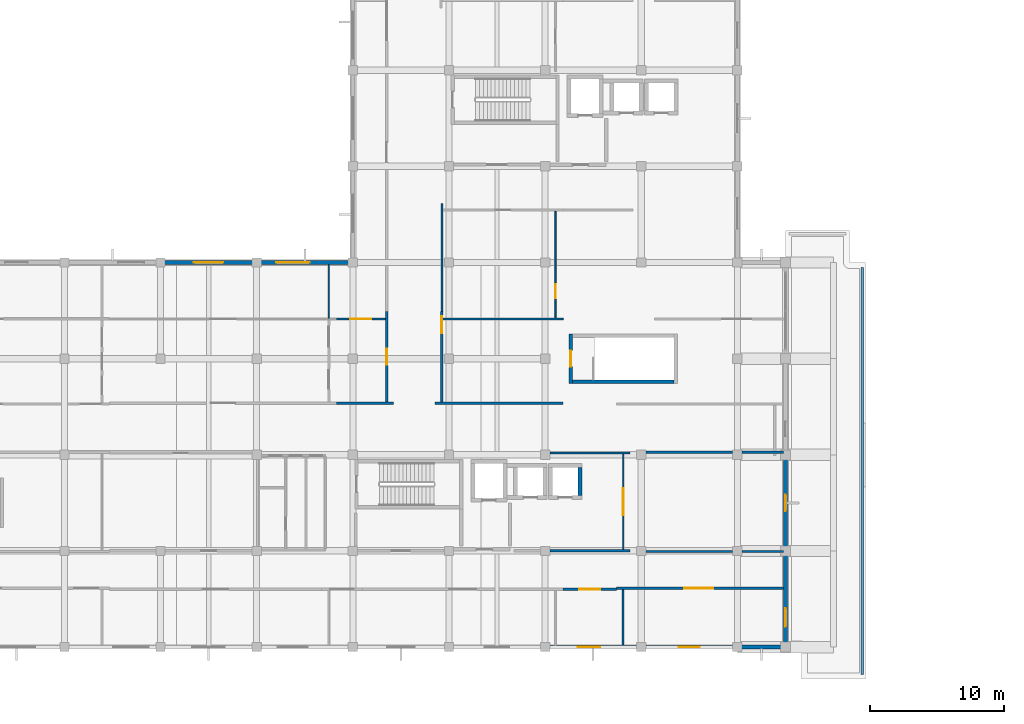
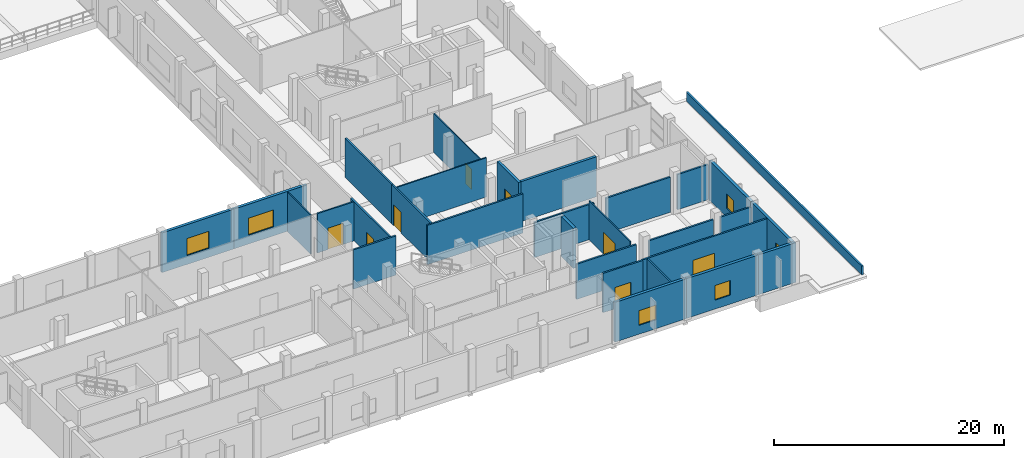
# One storey, part 13 of 24: 30 walls, 8 doors, 6 windows, 14 openings.
"""IFC4 building model written with IfcOpenShell, lengths in metres."""

import ifcopenshell
import ifcopenshell.guid

model = None  # the IFC model being written
_history = None  # IfcOwnerHistory: only IFC2X3 demands one
_inside = {}  # id of a spatial element -> (the spatial element, [elements in it])
_under = {}  # id of a project, library or spatial element -> (it, [spatial elements below it])
_declared = {}  # id of a project -> (the project, [libraries it declares])
_typed = {}  # id of a type object -> (the type object, [elements of that type])
_made_of = {}  # id of a material, layer set ... -> (it, [elements and type objects made of it])


def new_model(schema):
    """Start an empty IFC model of exactly this schema.

    Asked for "IFC4X3", IfcOpenShell would pick the latest addendum, in which some entities
    have other attributes; the version numbers below select the first issue.
    IFC2X3 requires an IfcOwnerHistory on every rooted entity: one is made here for all.
    """
    global model, _history
    if schema == "IFC4X3":
        model = ifcopenshell.file(schema_version=(4, 3, 0, 0))
    else:
        model = ifcopenshell.file(schema=schema)
    _inside.clear()
    _under.clear()
    _declared.clear()
    _typed.clear()
    _made_of.clear()
    _history = None
    if model.schema == "IFC2X3":
        org = make("IfcOrganization", Name="unknown")
        user = make(
            "IfcPersonAndOrganization",
            ThePerson=make("IfcPerson", FamilyName="unknown"),
            TheOrganization=org,
        )
        app = make(
            "IfcApplication",
            ApplicationDeveloper=org,
            Version="unknown",
            ApplicationFullName="unknown",
            ApplicationIdentifier="unknown",
        )
        _history = make(
            "IfcOwnerHistory",
            OwningUser=user,
            OwningApplication=app,
            ChangeAction="ADDED",
            CreationDate=0,
        )
    return model


def make(cls, **values):
    """One entity of the class cls with the attributes given. An attribute that is None is left unset."""
    return model.create_entity(
        cls, **{name: value for name, value in values.items() if value is not None}
    )


def rooted(cls, **values):
    """An entity with a GlobalId (a new one), such as an element, a storey or a relation."""
    return make(cls, GlobalId=ifcopenshell.guid.new(), OwnerHistory=_history, **values)


def si_unit(unit_type, name, prefix=None):
    """IfcSIUnit, for example si_unit("LENGTHUNIT", "METRE", prefix="MILLI")."""
    return make("IfcSIUnit", UnitType=unit_type, Prefix=prefix, Name=name)


def assignment(units):
    """IfcUnitAssignment: the units of a project."""
    return None if units is None else make("IfcUnitAssignment", Units=units)


def point(xyz):
    """IfcCartesianPoint."""
    return None if xyz is None else make("IfcCartesianPoint", Coordinates=xyz)


def direction(xyz):
    """IfcDirection."""
    return None if xyz is None else make("IfcDirection", DirectionRatios=xyz)


def frame(location, z_axis=None, x_axis=None):
    """IfcAxis2Placement3D, a coordinate frame: its origin and axes. An axis left out is left unset."""
    return make(
        "IfcAxis2Placement3D",
        Location=point(location),
        Axis=direction(z_axis),
        RefDirection=direction(x_axis),
    )


def frame_2d(location, x_axis=None):
    """IfcAxis2Placement2D, a coordinate frame in the plane: its origin and x axis."""
    return make(
        "IfcAxis2Placement2D", Location=point(location), RefDirection=direction(x_axis)
    )


def origin():
    """The frame at (0, 0, 0) with its axes left unset."""
    return frame((0.0, 0.0, 0.0))


def place(relative_to, where):
    """IfcLocalPlacement: puts the frame where relative to a parent placement (None: the world)."""
    return make(
        "IfcLocalPlacement", PlacementRelTo=relative_to, RelativePlacement=where
    )


def context(
    kind, dimensions, precision=None, world=None, true_north=None, identifier=None
):
    """IfcGeometricRepresentationContext, for example the 3D "Model" context."""
    return make(
        "IfcGeometricRepresentationContext",
        ContextIdentifier=identifier,
        ContextType=kind,
        CoordinateSpaceDimension=dimensions,
        Precision=precision,
        WorldCoordinateSystem=world,
        TrueNorth=true_north,
    )


def subcontext(parent, identifier, kind, view, scale=None):
    """IfcGeometricRepresentationSubContext, for example "Body" below "Model"."""
    return make(
        "IfcGeometricRepresentationSubContext",
        ContextIdentifier=identifier,
        ContextType=kind,
        ParentContext=parent,
        TargetScale=scale,
        TargetView=view,
    )


def project(units=None, contexts=None):
    """IfcProject with its units and contexts."""
    return rooted(
        "IfcProject",
        Name="project",
        RepresentationContexts=contexts,
        UnitsInContext=assignment(units),
    )


def spatial(cls, under=None, at=None, **own):
    """A site, building, storey or space (cls), placed at a placement, below another one or the project."""
    s = rooted(cls, ObjectPlacement=at, **own)
    if under is not None:
        _under.setdefault(under.id(), (under, []))[1].append(s)
    return s


def profile(cls, at=None, kind="AREA", **sizes):
    """A parametric profile (cls). Its sizes go by their IFC names, for example OverallWidth=200.0."""
    return make(cls, ProfileType=kind, Position=at, **sizes)


def rectangle(**sizes):
    """IfcRectangleProfileDef."""
    return profile("IfcRectangleProfileDef", **sizes)


def extrude(swept, where, along, depth):
    """IfcExtrudedAreaSolid: the profile swept, set in the frame where, extruded along a direction by depth."""
    return make(
        "IfcExtrudedAreaSolid",
        SweptArea=swept,
        Position=where,
        ExtrudedDirection=direction(along),
        Depth=depth,
    )


def shape(context_of_items, identifier, shape_type, items):
    """IfcShapeRepresentation: the items that make up one representation, for example the "Body"."""
    return make(
        "IfcShapeRepresentation",
        ContextOfItems=context_of_items,
        RepresentationIdentifier=identifier,
        RepresentationType=shape_type,
        Items=items,
    )


def material(Name=None, Category=None):
    """IfcMaterial."""
    return make("IfcMaterial", Name=Name, Category=Category)


def layer(
    of_material, thickness, ventilated=None, Name=None, Category=None, Priority=None
):
    """IfcMaterialLayer: one layer of a wall or slab, of a material (None: an air gap)."""
    return make(
        "IfcMaterialLayer",
        Material=of_material,
        LayerThickness=thickness,
        IsVentilated=ventilated,
        Name=Name,
        Category=Category,
        Priority=Priority,
    )


def layer_set(layers, Name=None):
    """IfcMaterialLayerSet."""
    return make("IfcMaterialLayerSet", MaterialLayers=layers, LayerSetName=Name)


def made_of(thing, what):
    """Note that an element or type object is made of a material, layer set ...; save() writes the relation."""
    if what is not None:
        _made_of.setdefault(what.id(), (what, []))[1].append(thing)
    return thing


def type_object(cls, material=None, **own):
    """A type object (cls), such as IfcWallType, which elements share."""
    return made_of(rooted(cls, **own), material)


def element(
    cls,
    number,
    at=None,
    inside=None,
    cuts=None,
    type_object=None,
    material=None,
    context=None,
    identifier="Body",
    shape_type=None,
    held_by="IfcProductDefinitionShape",
    body=None,
    shapes=None,
    **own,
):
    """One element of the class cls, such as IfcWall. Its Tag is "e" and its number.

    at: its placement. inside: the storey or other place that contains it. cuts: it is an
    opening in that element (IfcRelVoidsElement). A single representation is given by context,
    identifier, shape_type and body (its items); several are given by shapes. held_by: the class
    of the entity that holds the representations. save() writes the other relations.
    """
    e = rooted(cls, Tag="e%d" % number, ObjectPlacement=at, **own)
    if body is not None:
        shapes = [shape(context, identifier, shape_type, body)]
    if shapes is not None:
        e.Representation = make(held_by, Representations=shapes)
    if inside is not None:
        _inside.setdefault(inside.id(), (inside, []))[1].append(e)
    if cuts is not None:
        rooted(
            "IfcRelVoidsElement", RelatingBuildingElement=cuts, RelatedOpeningElement=e
        )
    if type_object is not None:
        _typed.setdefault(type_object.id(), (type_object, []))[1].append(e)
    return made_of(e, material)


def fill(opening, filler):
    """IfcRelFillsElement: the door or window that sits in an opening."""
    return rooted(
        "IfcRelFillsElement",
        RelatingOpeningElement=opening,
        RelatedBuildingElement=filler,
    )


def aggregate(whole, parts):
    """IfcRelAggregates: a whole, such as a stair, and the parts it consists of."""
    return rooted("IfcRelAggregates", RelatingObject=whole, RelatedObjects=parts)


def save(model, path):
    """Write the relations noted so far, then the file.

    IfcRelAggregates (storeys below a building ...), IfcRelContainedInSpatialStructure (elements
    in a storey), IfcRelDefinesByType, IfcRelAssociatesMaterial and IfcRelDeclares: one each for
    every whole, place, type object, material and project.
    """
    for whole, parts in _under.values():
        aggregate(whole, parts)
    for where, things in _inside.values():
        rooted(
            "IfcRelContainedInSpatialStructure",
            RelatedElements=things,
            RelatingStructure=where,
        )
    for kind, things in _typed.values():
        rooted("IfcRelDefinesByType", RelatedObjects=things, RelatingType=kind)
    for what, things in _made_of.values():
        rooted("IfcRelAssociatesMaterial", RelatedObjects=things, RelatingMaterial=what)
    for by, libraries in _declared.values():
        rooted("IfcRelDeclares", RelatingContext=by, RelatedDefinitions=libraries)
    model.write(path)


model = new_model("IFC4")

# Units and contexts
model_context = context("Model", 3, precision=1e-05, world=origin(), true_north=direction((0.0, 1.0)))
body_context = subcontext(model_context, "Body", "Model", "MODEL_VIEW")
ifc_project = project(units=[si_unit("LENGTHUNIT", "METRE"), si_unit("AREAUNIT", "SQUARE_METRE"), si_unit("VOLUMEUNIT", "CUBIC_METRE"), si_unit("PLANEANGLEUNIT", "RADIAN"), si_unit("MASSUNIT", "GRAM", prefix="KILO")], contexts=[model_context])

# Site, building, storey
site_placement = place(None, origin())
site = spatial("IfcSite", under=ifc_project, at=site_placement, CompositionType="ELEMENT")
building_placement = place(site_placement, origin())
building = spatial("IfcBuilding", under=site, at=building_placement, Name="Seraya Terrace Polytechnic", CompositionType="ELEMENT")
storey_placement = place(building_placement, frame((0.0, 0.0, 18.89990234375)))
storey = spatial("IfcBuildingStorey", under=building, at=storey_placement, Name="L04", CompositionType="ELEMENT", Elevation=18.89990234375)

# Wall, opening, window
ifc_material_1 = material(Name="Precast concrete C40/50", Category="concrete")
ifc_layer_1 = layer(ifc_material_1, 0.280029296875, Name="EW-02")
ifc_layer_set_1 = layer_set([ifc_layer_1], Name="Precast concrete C40/50")
wall_type_1 = type_object("IfcWallType", Name="EW-02", PredefinedType="SOLIDWALL", material=ifc_layer_set_1)
wall_1_placement = place(storey_placement, frame((111.60009765625, 14.39990234375, 0.0), z_axis=(0.0, 0.0, 1.0), x_axis=(0.0, -1.0, 0.0)))
wall_1 = element("IfcWall", 1, at=wall_1_placement, inside=storey, type_object=wall_type_1, Name="Exterior structural wall EW-02 L04", PredefinedType="SOLIDWALL", context=body_context, shape_type="SweptSolid", body=[
    extrude(rectangle(XDim=7.199951171875, YDim=0.280029296875, at=frame_2d((3.60009765625, 0.0))), origin(), (0.0, 0.0, 1.0), 4.22021484375),
])
opening_1_placement = place(wall_1_placement, frame((2.97509765625, 0.0, 0.949951171875)))
opening_1 = element("IfcOpeningElement", 2, at=opening_1_placement, cuts=wall_1, Name="Opening WN-14", PredefinedType="OPENING", context=body_context, shape_type="SweptSolid", body=[
    extrude(rectangle(XDim=1.25, YDim=1.550048828125, at=frame_2d((0.625, 0.77490234375))), frame((0.0, 0.15185546875, 0.0), z_axis=(0.0, -1.0, 0.0), x_axis=(1.0, 0.0, 0.0)), (0.0, 0.0, 1.0), 0.303955078125),
])
ifc_material_2 = material(Name="Laminated solar-control Low-E double glazing", Category="glass")
window_type_1 = type_object("IfcWindowType", Name="WN-14", PartitioningType="SINGLE_PANEL", PredefinedType="WINDOW", material=ifc_material_2)
window_1_placement = place(opening_1_placement, origin())
window_1 = element("IfcWindow", 3, at=window_1_placement, inside=storey, type_object=window_type_1, Name="Exterior window WN-14 L04", OverallHeight=1.550048828125, OverallWidth=1.25, PartitioningType="SINGLE_PANEL", PredefinedType="WINDOW", context=body_context, shape_type="SweptSolid", body=[
    extrude(rectangle(XDim=1.25, YDim=1.550048828125, at=frame_2d((0.625, 0.77490234375))), frame((0.0, 0.030029296875, 0.0), z_axis=(0.0, -1.0, 0.0), x_axis=(1.0, 0.0, 0.0)), (0.0, 0.0, 1.0), 0.06005859375),
])
fill(opening_1, window_1)

wall_2_placement = place(storey_placement, frame((111.60009765625, 7.199951171875, 0.0), z_axis=(0.0, 0.0, 1.0), x_axis=(0.0, -1.0, 0.0)))
wall_2 = element("IfcWall", 4, at=wall_2_placement, inside=storey, type_object=wall_type_1, Name="Exterior structural wall EW-02 L04", PredefinedType="SOLIDWALL", context=body_context, shape_type="SweptSolid", body=[
    extrude(rectangle(XDim=7.0478515625, YDim=0.280029296875, at=frame_2d((3.52392578125, 0.0))), origin(), (0.0, 0.0, 1.0), 4.22021484375),
])
opening_2_placement = place(wall_2_placement, frame((4.283935546875, 0.0, 0.949951171875)))
opening_2 = element("IfcOpeningElement", 5, at=opening_2_placement, cuts=wall_2, Name="Opening WN-15", PredefinedType="OPENING", context=body_context, shape_type="SweptSolid", body=[
    extrude(rectangle(XDim=1.39990234375, YDim=1.550048828125, at=frame_2d((0.699951171875, 0.77490234375))), frame((0.0, 0.15185546875, 0.0), z_axis=(0.0, -1.0, 0.0), x_axis=(1.0, 0.0, 0.0)), (0.0, 0.0, 1.0), 0.303955078125),
])
window_type_2 = type_object("IfcWindowType", Name="WN-15", PartitioningType="SINGLE_PANEL", PredefinedType="WINDOW", material=ifc_material_2)
window_2_placement = place(opening_2_placement, origin())
window_2 = element("IfcWindow", 6, at=window_2_placement, inside=storey, type_object=window_type_2, Name="Exterior window WN-15 L04", OverallHeight=1.550048828125, OverallWidth=1.39990234375, PartitioningType="SINGLE_PANEL", PredefinedType="WINDOW", context=body_context, shape_type="SweptSolid", body=[
    extrude(rectangle(XDim=1.39990234375, YDim=1.550048828125, at=frame_2d((0.699951171875, 0.77490234375))), frame((0.0, 0.030029296875, 0.0), z_axis=(0.0, -1.0, 0.0), x_axis=(1.0, 0.0, 0.0)), (0.0, 0.0, 1.0), 0.06005859375),
])
fill(opening_2, window_2)

# Wall
wall_3_placement = place(storey_placement, frame((111.75, 0.0, 0.0), z_axis=(0.0, 0.0, 1.0), x_axis=(-1.0, 0.0, 0.0)))
element("IfcWall", 7, at=wall_3_placement, inside=storey, type_object=wall_type_1, Name="Exterior structural wall EW-02 L04", PredefinedType="SOLIDWALL", context=body_context, shape_type="SweptSolid", body=[
    extrude(rectangle(XDim=3.75, YDim=0.280029296875, at=frame_2d((1.875, 0.0))), origin(), (0.0, 0.0, 1.0), 4.22021484375),
])

# Wall, opening, window
wall_4_placement = place(storey_placement, frame((108.0, 0.0, 0.0), z_axis=(0.0, 0.0, 1.0), x_axis=(-1.0, 0.0, 0.0)))
wall_4 = element("IfcWall", 8, at=wall_4_placement, inside=storey, type_object=wall_type_1, Name="Exterior structural wall EW-02 L04", PredefinedType="SOLIDWALL", context=body_context, shape_type="SweptSolid", body=[
    extrude(rectangle(XDim=7.199951171875, YDim=0.280029296875, at=frame_2d((3.60009765625, 0.0))), origin(), (0.0, 0.0, 1.0), 4.22021484375),
])
opening_3_placement = place(wall_4_placement, frame((2.824951171875, 0.0, 0.949951171875)))
opening_3 = element("IfcOpeningElement", 9, at=opening_3_placement, cuts=wall_4, Name="Opening WN-16", PredefinedType="OPENING", context=body_context, shape_type="SweptSolid", body=[
    extrude(rectangle(XDim=1.550048828125, YDim=1.550048828125, at=frame_2d((0.77490234375, 0.77490234375))), frame((0.0, 0.15185546875, 0.0), z_axis=(0.0, -1.0, 0.0), x_axis=(1.0, 0.0, 0.0)), (0.0, 0.0, 1.0), 0.303955078125),
])
window_type_3 = type_object("IfcWindowType", Name="WN-16", PartitioningType="SINGLE_PANEL", PredefinedType="WINDOW", material=ifc_material_2)
window_3_placement = place(opening_3_placement, origin())
window_3 = element("IfcWindow", 10, at=window_3_placement, inside=storey, type_object=window_type_3, Name="Exterior window WN-16 L04", OverallHeight=1.550048828125, OverallWidth=1.550048828125, PartitioningType="SINGLE_PANEL", PredefinedType="WINDOW", context=body_context, shape_type="SweptSolid", body=[
    extrude(rectangle(XDim=1.550048828125, YDim=1.550048828125, at=frame_2d((0.77490234375, 0.77490234375))), frame((0.0, 0.030029296875, 0.0), z_axis=(0.0, -1.0, 0.0), x_axis=(1.0, 0.0, 0.0)), (0.0, 0.0, 1.0), 0.06005859375),
])
fill(opening_3, window_3)

wall_5_placement = place(storey_placement, frame((100.800048828125, 0.0, 0.0), z_axis=(0.0, 0.0, 1.0), x_axis=(-1.0, 0.0, 0.0)))
wall_5 = element("IfcWall", 11, at=wall_5_placement, inside=storey, type_object=wall_type_1, Name="Exterior structural wall EW-02 L04", PredefinedType="SOLIDWALL", context=body_context, shape_type="SweptSolid", body=[
    extrude(rectangle(XDim=7.199951171875, YDim=0.280029296875, at=frame_2d((3.60009765625, 0.0))), origin(), (0.0, 0.0, 1.0), 4.22021484375),
])
opening_4_placement = place(wall_5_placement, frame((3.06005859375, 0.0, 0.949951171875)))
opening_4 = element("IfcOpeningElement", 12, at=opening_4_placement, cuts=wall_5, Name="Opening WN-17", PredefinedType="OPENING", context=body_context, shape_type="SweptSolid", body=[
    extrude(rectangle(XDim=1.699951171875, YDim=1.550048828125, at=frame_2d((0.85009765625, 0.77490234375))), frame((0.0, 0.15185546875, 0.0), z_axis=(0.0, -1.0, 0.0), x_axis=(1.0, 0.0, 0.0)), (0.0, 0.0, 1.0), 0.303955078125),
])
window_type_4 = type_object("IfcWindowType", Name="WN-17", PartitioningType="SINGLE_PANEL", PredefinedType="WINDOW", material=ifc_material_2)
window_4_placement = place(opening_4_placement, origin())
window_4 = element("IfcWindow", 13, at=window_4_placement, inside=storey, type_object=window_type_4, Name="Exterior window WN-17 L04", OverallHeight=1.550048828125, OverallWidth=1.699951171875, PartitioningType="SINGLE_PANEL", PredefinedType="WINDOW", context=body_context, shape_type="SweptSolid", body=[
    extrude(rectangle(XDim=1.699951171875, YDim=1.550048828125, at=frame_2d((0.85009765625, 0.77490234375))), frame((0.0, 0.030029296875, 0.0), z_axis=(0.0, -1.0, 0.0), x_axis=(1.0, 0.0, 0.0)), (0.0, 0.0, 1.0), 0.06005859375),
])
fill(opening_4, window_4)

wall_6_placement = place(storey_placement, frame((64.800048828125, 28.800048828125, 0.0), z_axis=(0.0, 0.0, 1.0), x_axis=(1.0, 0.0, 0.0)))
wall_6 = element("IfcWall", 14, at=wall_6_placement, inside=storey, type_object=wall_type_1, Name="Exterior structural wall EW-02 L04", PredefinedType="SOLIDWALL", context=body_context, shape_type="SweptSolid", body=[
    extrude(rectangle(XDim=7.199951171875, YDim=0.280029296875, at=frame_2d((3.60009765625, 0.0))), origin(), (0.0, 0.0, 1.0), 4.22021484375),
])
opening_5_placement = place(wall_6_placement, frame((2.5, 0.0, 0.949951171875)))
opening_5 = element("IfcOpeningElement", 15, at=opening_5_placement, cuts=wall_6, Name="Opening WN-31", PredefinedType="OPENING", context=body_context, shape_type="SweptSolid", body=[
    extrude(rectangle(XDim=2.199951171875, YDim=1.800048828125, at=frame_2d((1.10009765625, 0.89990234375))), frame((0.0, 0.15185546875, 0.0), z_axis=(0.0, -1.0, 0.0), x_axis=(1.0, 0.0, 0.0)), (0.0, 0.0, 1.0), 0.303955078125),
])
window_type_5 = type_object("IfcWindowType", Name="WN-31", PartitioningType="SINGLE_PANEL", PredefinedType="WINDOW", material=ifc_material_2)
window_5_placement = place(opening_5_placement, origin())
window_5 = element("IfcWindow", 16, at=window_5_placement, inside=storey, type_object=window_type_5, Name="Exterior window WN-31 L04", OverallHeight=1.800048828125, OverallWidth=2.199951171875, PartitioningType="SINGLE_PANEL", PredefinedType="WINDOW", context=body_context, shape_type="SweptSolid", body=[
    extrude(rectangle(XDim=2.199951171875, YDim=1.800048828125, at=frame_2d((1.10009765625, 0.89990234375))), frame((0.0, 0.030029296875, 0.0), z_axis=(0.0, -1.0, 0.0), x_axis=(1.0, 0.0, 0.0)), (0.0, 0.0, 1.0), 0.06005859375),
])
fill(opening_5, window_5)

wall_7_placement = place(storey_placement, frame((72.0, 28.800048828125, 0.0), z_axis=(0.0, 0.0, 1.0), x_axis=(1.0, 0.0, 0.0)))
wall_7 = element("IfcWall", 17, at=wall_7_placement, inside=storey, type_object=wall_type_1, Name="Exterior structural wall EW-02 L04", PredefinedType="SOLIDWALL", context=body_context, shape_type="SweptSolid", body=[
    extrude(rectangle(XDim=7.35009765625, YDim=0.280029296875, at=frame_2d((3.675048828125, 0.0))), origin(), (0.0, 0.0, 1.0), 4.22021484375),
])
opening_6_placement = place(wall_7_placement, frame((1.4599609375, 0.0, 0.949951171875)))
opening_6 = element("IfcOpeningElement", 18, at=opening_6_placement, cuts=wall_7, Name="Opening WN-32", PredefinedType="OPENING", context=body_context, shape_type="SweptSolid", body=[
    extrude(rectangle(XDim=2.5, YDim=1.800048828125, at=frame_2d((1.25, 0.89990234375))), frame((0.0, 0.15185546875, 0.0), z_axis=(0.0, -1.0, 0.0), x_axis=(1.0, 0.0, 0.0)), (0.0, 0.0, 1.0), 0.303955078125),
])
window_type_6 = type_object("IfcWindowType", Name="WN-32", PartitioningType="SINGLE_PANEL", PredefinedType="WINDOW", material=ifc_material_2)
window_6_placement = place(opening_6_placement, origin())
window_6 = element("IfcWindow", 19, at=window_6_placement, inside=storey, type_object=window_type_6, Name="Exterior window WN-32 L04", OverallHeight=1.800048828125, OverallWidth=2.5, PartitioningType="SINGLE_PANEL", PredefinedType="WINDOW", context=body_context, shape_type="SweptSolid", body=[
    extrude(rectangle(XDim=2.5, YDim=1.800048828125, at=frame_2d((1.25, 0.89990234375))), frame((0.0, 0.030029296875, 0.0), z_axis=(0.0, -1.0, 0.0), x_axis=(1.0, 0.0, 0.0)), (0.0, 0.0, 1.0), 0.06005859375),
])
fill(opening_6, window_6)

# Walls
ifc_material_3 = material(Name="Autoclaved aerated concrete blockwork", Category="masonry")
ifc_layer_2 = layer(ifc_material_3, 0.169921875, Name="PT-02")
ifc_layer_set_2 = layer_set([ifc_layer_2], Name="Autoclaved aerated concrete blockwork")
wall_type_2 = type_object("IfcWallType", Name="PT-02", PredefinedType="PARTITIONING", material=ifc_layer_set_2)
wall_8_placement = place(storey_placement, frame((77.9599609375, 18.27001953125, 0.0), z_axis=(0.0, 0.0, 1.0), x_axis=(1.0, 0.0, 0.0)))
element("IfcWall", 20, at=wall_8_placement, inside=storey, type_object=wall_type_2, Name="Internal partition PT-02 L04", PredefinedType="PARTITIONING", context=body_context, shape_type="SweptSolid", body=[
    extrude(rectangle(XDim=4.273681640625, YDim=0.169921875, at=frame_2d((2.13671875, 0.0))), origin(), (0.0, 0.0, 1.0), 4.16015625),
])
wall_9_placement = place(storey_placement, frame((85.366455078125, 18.27001953125, 0.0), z_axis=(0.0, 0.0, 1.0), x_axis=(1.0, 0.0, 0.0)))
element("IfcWall", 21, at=wall_9_placement, inside=storey, type_object=wall_type_2, Name="Internal partition PT-02 L04", PredefinedType="PARTITIONING", context=body_context, shape_type="SweptSolid", body=[
    extrude(rectangle(XDim=9.58349609375, YDim=0.169921875, at=frame_2d((4.791748046875, 0.0))), origin(), (0.0, 0.0, 1.0), 4.16015625),
])
wall_10_placement = place(storey_placement, frame((101.159912109375, 14.60009765625, 0.0), z_axis=(0.0, 0.0, 1.0), x_axis=(1.0, 0.0, 0.0)))
element("IfcWall", 22, at=wall_10_placement, inside=storey, type_object=wall_type_2, Name="Internal partition PT-02 L04", PredefinedType="PARTITIONING", context=body_context, shape_type="SweptSolid", body=[
    extrude(rectangle(XDim=6.47998046875, YDim=0.169921875, at=frame_2d((3.239990234375, 0.0))), origin(), (0.0, 0.0, 1.0), 3.72998046875),
])
wall_11_placement = place(storey_placement, frame((108.360107421875, 14.60009765625, 0.0), z_axis=(0.0, 0.0, 1.0), x_axis=(1.0, 0.0, 0.0)))
element("IfcWall", 23, at=wall_11_placement, inside=storey, type_object=wall_type_2, Name="Internal partition PT-02 L04", PredefinedType="PARTITIONING", context=body_context, shape_type="SweptSolid", body=[
    extrude(rectangle(XDim=3.087890625, YDim=0.169921875, at=frame_2d((1.5439453125, 0.0))), origin(), (0.0, 0.0, 1.0), 3.72998046875),
])
wall_12_placement = place(storey_placement, frame((93.9599609375, 14.530029296875, 0.0), z_axis=(0.0, 0.0, 1.0), x_axis=(1.0, 0.0, 0.0)))
element("IfcWall", 24, at=wall_12_placement, inside=storey, type_object=wall_type_2, Name="Internal partition PT-02 L04", PredefinedType="PARTITIONING", context=body_context, shape_type="SweptSolid", body=[
    extrude(rectangle(XDim=5.989990234375, YDim=0.169921875, at=frame_2d((2.9951171875, 0.0))), origin(), (0.0, 0.0, 1.0), 3.72998046875),
])

# Wall, opening, door
wall_13_placement = place(storey_placement, frame((98.9384765625, 4.39990234375, 0.0), z_axis=(0.0, 0.0, 1.0), x_axis=(1.0, 0.0, 0.0)))
wall_13 = element("IfcWall", 25, at=wall_13_placement, inside=storey, type_object=wall_type_2, Name="Internal partition PT-02 L04", PredefinedType="PARTITIONING", context=body_context, shape_type="SweptSolid", body=[
    extrude(rectangle(XDim=12.509521484375, YDim=0.169921875, at=frame_2d((6.2548828125, 0.0))), origin(), (0.0, 0.0, 1.0), 4.16015625),
])
opening_7_placement = place(wall_13_placement, frame((5.0908203125, 0.0, 0.0)))
opening_7 = element("IfcOpeningElement", 26, at=opening_7_placement, cuts=wall_13, Name="Opening ID-18", PredefinedType="OPENING", context=body_context, shape_type="SweptSolid", body=[
    extrude(rectangle(XDim=2.159912109375, YDim=2.35009765625, at=frame_2d((1.080078125, 1.175048828125))), frame((0.0, 0.096923828125, 0.0), z_axis=(0.0, -1.0, 0.0), x_axis=(1.0, 0.0, 0.0)), (0.0, 0.0, 1.0), 0.19384765625),
])
ifc_material_4 = material(Name="Malaysian dark red meranti hardwood timber D40", Category="wood")
door_type_1 = type_object("IfcDoorType", Name="ID-18", OperationType="DOUBLE_DOOR_SINGLE_SWING", PredefinedType="DOOR", material=ifc_material_4)
door_1_placement = place(opening_7_placement, frame((2.159912109375, 0.0, 0.0), z_axis=(0.0, 0.0, 1.0), x_axis=(-1.0, 0.0, 0.0)))
door_1 = element("IfcDoor", 27, at=door_1_placement, inside=storey, type_object=door_type_1, Name="Door ID-18 DR-INT-L04-0223 in WL-INT-L04-0647", OperationType="DOUBLE_DOOR_SINGLE_SWING", OverallHeight=2.35009765625, OverallWidth=2.159912109375, PredefinedType="DOOR", context=body_context, shape_type="SweptSolid", body=[
    extrude(rectangle(XDim=2.159912109375, YDim=2.35009765625, at=frame_2d((1.080078125, 1.175048828125))), frame((0.0, 0.02490234375, 0.0), z_axis=(0.0, -1.0, 0.0), x_axis=(1.0, 0.0, 0.0)), (0.0, 0.0, 1.0), 0.050048828125),
])
fill(opening_7, door_1)

# Walls
wall_14_placement = place(storey_placement, frame((101.159912109375, 7.14990234375, 0.0), z_axis=(0.0, 0.0, 1.0), x_axis=(1.0, 0.0, 0.0)))
element("IfcWall", 28, at=wall_14_placement, inside=storey, type_object=wall_type_2, Name="Internal partition PT-02 L04", PredefinedType="PARTITIONING", context=body_context, shape_type="SweptSolid", body=[
    extrude(rectangle(XDim=6.47998046875, YDim=0.169921875, at=frame_2d((3.239990234375, 0.0))), origin(), (0.0, 0.0, 1.0), 3.72998046875),
])
wall_15_placement = place(storey_placement, frame((108.360107421875, 7.14990234375, 0.0), z_axis=(0.0, 0.0, 1.0), x_axis=(1.0, 0.0, 0.0)))
element("IfcWall", 29, at=wall_15_placement, inside=storey, type_object=wall_type_2, Name="Internal partition PT-02 L04", PredefinedType="PARTITIONING", context=body_context, shape_type="SweptSolid", body=[
    extrude(rectangle(XDim=3.087890625, YDim=0.169921875, at=frame_2d((1.5439453125, 0.0))), origin(), (0.0, 0.0, 1.0), 3.72998046875),
])
wall_16_placement = place(storey_placement, frame((93.9599609375, 7.219970703125, 0.0), z_axis=(0.0, 0.0, 1.0), x_axis=(1.0, 0.0, 0.0)))
element("IfcWall", 30, at=wall_16_placement, inside=storey, type_object=wall_type_2, Name="Internal partition PT-02 L04", PredefinedType="PARTITIONING", context=body_context, shape_type="SweptSolid", body=[
    extrude(rectangle(XDim=5.989990234375, YDim=0.169921875, at=frame_2d((2.9951171875, 0.0))), origin(), (0.0, 0.0, 1.0), 3.72998046875),
])

# Wall, opening, door
wall_17_placement = place(storey_placement, frame((94.949951171875, 4.330078125, 0.0), z_axis=(0.0, 0.0, 1.0), x_axis=(1.0, 0.0, 0.0)))
wall_17 = element("IfcWall", 31, at=wall_17_placement, inside=storey, type_object=wall_type_2, Name="Internal partition PT-02 L04", PredefinedType="PARTITIONING", context=body_context, shape_type="SweptSolid", body=[
    extrude(rectangle(XDim=3.988525390625, YDim=0.169921875, at=frame_2d((1.994140625, 0.0))), origin(), (0.0, 0.0, 1.0), 4.16015625),
])
opening_8_placement = place(wall_17_placement, frame((1.21435546875, 0.0, 0.0)))
opening_8 = element("IfcOpeningElement", 32, at=opening_8_placement, cuts=wall_17, Name="Opening ID-12", PredefinedType="OPENING", context=body_context, shape_type="SweptSolid", body=[
    extrude(rectangle(XDim=1.56005859375, YDim=2.260009765625, at=frame_2d((0.780029296875, 1.1298828125))), frame((0.0, 0.096923828125, 0.0), z_axis=(0.0, -1.0, 0.0), x_axis=(1.0, 0.0, 0.0)), (0.0, 0.0, 1.0), 0.19384765625),
])
door_type_2 = type_object("IfcDoorType", Name="ID-12", OperationType="DOUBLE_DOOR_SINGLE_SWING", PredefinedType="DOOR", material=ifc_material_4)
door_2_placement = place(opening_8_placement, frame((1.56005859375, 0.0, 0.0), z_axis=(0.0, 0.0, 1.0), x_axis=(-1.0, 0.0, 0.0)))
door_2 = element("IfcDoor", 33, at=door_2_placement, inside=storey, type_object=door_type_2, Name="Door ID-12 DR-INT-L04-0233 in WL-INT-L04-0651", OperationType="DOUBLE_DOOR_SINGLE_SWING", OverallHeight=2.260009765625, OverallWidth=1.56005859375, PredefinedType="DOOR", context=body_context, shape_type="SweptSolid", body=[
    extrude(rectangle(XDim=1.56005859375, YDim=2.260009765625, at=frame_2d((0.780029296875, 1.1298828125))), frame((0.0, 0.02490234375, 0.0), z_axis=(0.0, -1.0, 0.0), x_axis=(1.0, 0.0, 0.0)), (0.0, 0.0, 1.0), 0.050048828125),
])
fill(opening_8, door_2)

wall_18_placement = place(storey_placement, frame((81.73681640625, 18.3701171875, 0.0), z_axis=(0.0, 0.0, 1.0), x_axis=(0.0, 1.0, 0.0)))
wall_18 = element("IfcWall", 34, at=wall_18_placement, inside=storey, type_object=wall_type_2, Name="Internal partition PT-02 L04", PredefinedType="PARTITIONING", context=body_context, shape_type="SweptSolid", body=[
    extrude(rectangle(XDim=6.76318359375, YDim=0.169921875, at=frame_2d((3.381591796875, 0.0))), origin(), (0.0, 0.0, 1.0), 4.16015625),
])
opening_9_placement = place(wall_18_placement, frame((2.771484375, 0.0, 0.0)))
opening_9 = element("IfcOpeningElement", 35, at=opening_9_placement, cuts=wall_18, Name="Opening ID-07", PredefinedType="OPENING", context=body_context, shape_type="SweptSolid", body=[
    extrude(rectangle(XDim=1.219970703125, YDim=2.219970703125, at=frame_2d((0.60986328125, 1.10986328125))), frame((0.0, 0.096923828125, 0.0), z_axis=(0.0, -1.0, 0.0), x_axis=(1.0, 0.0, 0.0)), (0.0, 0.0, 1.0), 0.19384765625),
])
door_type_3 = type_object("IfcDoorType", Name="ID-07", OperationType="NOTDEFINED", PredefinedType="DOOR", material=ifc_material_4)
door_3_placement = place(opening_9_placement, origin())
door_3 = element("IfcDoor", 36, at=door_3_placement, inside=storey, type_object=door_type_3, Name="Door ID-07 DR-INT-L04-0228 in WL-INT-L04-0660", OperationType="SINGLE_SWING_LEFT", OverallHeight=2.219970703125, OverallWidth=1.219970703125, PredefinedType="DOOR", context=body_context, shape_type="SweptSolid", body=[
    extrude(rectangle(XDim=1.219970703125, YDim=2.219970703125, at=frame_2d((0.60986328125, 1.10986328125))), frame((0.0, 0.02490234375, 0.0), z_axis=(0.0, -1.0, 0.0), x_axis=(1.0, 0.0, 0.0)), (0.0, 0.0, 1.0), 0.050048828125),
])
fill(opening_9, door_3)

wall_19_placement = place(storey_placement, frame((85.86328125, 18.3701171875, 0.0), z_axis=(0.0, 0.0, 1.0), x_axis=(0.0, 1.0, 0.0)))
wall_19 = element("IfcWall", 37, at=wall_19_placement, inside=storey, type_object=wall_type_2, Name="Internal partition PT-02 L04", PredefinedType="PARTITIONING", context=body_context, shape_type="SweptSolid", body=[
    extrude(rectangle(XDim=6.76318359375, YDim=0.169921875, at=frame_2d((3.381591796875, 0.0))), origin(), (0.0, 0.0, 1.0), 4.16015625),
])
opening_10_placement = place(wall_19_placement, frame((5.1416015625, 0.0, 0.0)))
opening_10 = element("IfcOpeningElement", 38, at=opening_10_placement, cuts=wall_19, Name="Opening ID-08", PredefinedType="OPENING", context=body_context, shape_type="SweptSolid", body=[
    extrude(rectangle(XDim=1.280029296875, YDim=2.219970703125, at=frame_2d((0.64013671875, 1.10986328125))), frame((0.0, 0.096923828125, 0.0), z_axis=(0.0, -1.0, 0.0), x_axis=(1.0, 0.0, 0.0)), (0.0, 0.0, 1.0), 0.19384765625),
])
door_type_4 = type_object("IfcDoorType", Name="ID-08", OperationType="NOTDEFINED", PredefinedType="DOOR", material=ifc_material_4)
door_4_placement = place(opening_10_placement, frame((1.280029296875, 0.0, 0.0), z_axis=(0.0, 0.0, 1.0), x_axis=(-1.0, 0.0, 0.0)))
door_4 = element("IfcDoor", 39, at=door_4_placement, inside=storey, type_object=door_type_4, Name="Door ID-08 DR-INT-L04-0229 in WL-INT-L04-0661", OperationType="SINGLE_SWING_RIGHT", OverallHeight=2.219970703125, OverallWidth=1.280029296875, PredefinedType="DOOR", context=body_context, shape_type="SweptSolid", body=[
    extrude(rectangle(XDim=1.280029296875, YDim=2.219970703125, at=frame_2d((0.64013671875, 1.10986328125))), frame((0.0, 0.02490234375, 0.0), z_axis=(0.0, -1.0, 0.0), x_axis=(1.0, 0.0, 0.0)), (0.0, 0.0, 1.0), 0.050048828125),
])
fill(opening_10, door_4)

# Wall
wall_20_placement = place(storey_placement, frame((85.8701171875, 25.13330078125, 0.0), z_axis=(0.0, 0.0, 1.0), x_axis=(0.0, 1.0, 0.0)))
element("IfcWall", 40, at=wall_20_placement, inside=storey, type_object=wall_type_2, Name="Internal partition PT-02 L04", PredefinedType="PARTITIONING", context=body_context, shape_type="SweptSolid", body=[
    extrude(rectangle(XDim=8.086669921875, YDim=0.169921875, at=frame_2d((4.04345703125, 0.0))), origin(), (0.0, 0.0, 1.0), 4.16015625),
])

# Wall, opening, door
ifc_layer_3 = layer(ifc_material_3, 0.14990234375, Name="PT-03")
ifc_layer_set_3 = layer_set([ifc_layer_3], Name="Autoclaved aerated concrete blockwork")
wall_type_3 = type_object("IfcWallType", Name="PT-03", PredefinedType="PARTITIONING", material=ifc_layer_set_3)
wall_21_placement = place(storey_placement, frame((77.9599609375, 24.5732421875, 0.0), z_axis=(0.0, 0.0, 1.0), x_axis=(1.0, 0.0, 0.0)))
wall_21 = element("IfcWall", 41, at=wall_21_placement, inside=storey, type_object=wall_type_3, Name="Internal partition PT-03 L04", PredefinedType="PARTITIONING", context=body_context, shape_type="SweptSolid", body=[
    extrude(rectangle(XDim=3.6767578125, YDim=0.14990234375, at=frame_2d((1.83837890625, 0.0))), origin(), (0.0, 0.0, 1.0), 4.16015625),
])
opening_11_placement = place(wall_21_placement, frame((1.058349609375, 0.0, 0.0)))
opening_11 = element("IfcOpeningElement", 42, at=opening_11_placement, cuts=wall_21, Name="Opening ID-12", PredefinedType="OPENING", context=body_context, shape_type="SweptSolid", body=[
    extrude(rectangle(XDim=1.56005859375, YDim=2.260009765625, at=frame_2d((0.780029296875, 1.1298828125))), frame((0.0, 0.0869140625, 0.0), z_axis=(0.0, -1.0, 0.0), x_axis=(1.0, 0.0, 0.0)), (0.0, 0.0, 1.0), 0.173828125),
])
door_5_placement = place(opening_11_placement, frame((1.56005859375, 0.0, 0.0), z_axis=(0.0, 0.0, 1.0), x_axis=(-1.0, 0.0, 0.0)))
door_5 = element("IfcDoor", 43, at=door_5_placement, inside=storey, type_object=door_type_2, Name="Door ID-12 DR-INT-L04-0249 in WL-INT-L04-0691", OperationType="DOUBLE_DOOR_SINGLE_SWING", OverallHeight=2.260009765625, OverallWidth=1.56005859375, PredefinedType="DOOR", context=body_context, shape_type="SweptSolid", body=[
    extrude(rectangle(XDim=1.56005859375, YDim=2.260009765625, at=frame_2d((0.780029296875, 1.1298828125))), frame((0.0, 0.02490234375, 0.0), z_axis=(0.0, -1.0, 0.0), x_axis=(1.0, 0.0, 0.0)), (0.0, 0.0, 1.0), 0.050048828125),
])
fill(opening_11, door_5)

# Walls
wall_22_placement = place(storey_placement, frame((99.449951171875, 0.152099609375, 0.0), z_axis=(0.0, 0.0, 1.0), x_axis=(0.0, 1.0, 0.0)))
element("IfcWall", 44, at=wall_22_placement, inside=storey, type_object=wall_type_3, Name="Internal partition PT-03 L04", PredefinedType="PARTITIONING", context=body_context, shape_type="SweptSolid", body=[
    extrude(rectangle(XDim=4.14794921875, YDim=0.14990234375, at=frame_2d((2.073974609375, 0.0))), origin(), (0.0, 0.0, 1.0), 4.16015625),
])
ifc_layer_4 = layer(ifc_material_3, 0.1201171875, Name="PT-05")
ifc_layer_set_4 = layer_set([ifc_layer_4], Name="Autoclaved aerated concrete blockwork")
wall_type_4 = type_object("IfcWallType", Name="PT-05", PredefinedType="PARTITIONING", material=ifc_layer_set_4)
wall_23_placement = place(storey_placement, frame((85.963134765625, 24.5732421875, 0.0), z_axis=(0.0, 0.0, 1.0), x_axis=(1.0, 0.0, 0.0)))
element("IfcWall", 45, at=wall_23_placement, inside=storey, type_object=wall_type_4, Name="Internal partition PT-05 L04", PredefinedType="PARTITIONING", context=body_context, shape_type="SweptSolid", body=[
    extrude(rectangle(XDim=8.98681640625, YDim=0.1201171875, at=frame_2d((4.493408203125, 0.0))), origin(), (0.0, 0.0, 1.0), 4.16015625),
])
ifc_layer_5 = layer(ifc_material_3, 0.10009765625, Name="PT-06")
ifc_layer_set_5 = layer_set([ifc_layer_5], Name="Autoclaved aerated concrete blockwork")
wall_type_5 = type_object("IfcWallType", Name="PT-06", PredefinedType="PARTITIONING", material=ifc_layer_set_5)
wall_24_placement = place(storey_placement, frame((77.39990234375, 24.63818359375, 0.0), z_axis=(0.0, 0.0, 1.0), x_axis=(0.0, 1.0, 0.0)))
element("IfcWall", 46, at=wall_24_placement, inside=storey, type_object=wall_type_5, Name="Internal partition PT-06 L04", PredefinedType="PARTITIONING", context=body_context, shape_type="SweptSolid", body=[
    extrude(rectangle(XDim=4.009765625, YDim=0.10009765625, at=frame_2d((2.0048828125, 0.0))), origin(), (0.0, 0.0, 1.0), 4.16015625),
])

# Wall, opening, door
wall_25_placement = place(storey_placement, frame((94.389892578125, 24.648193359375, 0.0), z_axis=(0.0, 0.0, 1.0), x_axis=(0.0, 1.0, 0.0)))
wall_25 = element("IfcWall", 47, at=wall_25_placement, inside=storey, type_object=wall_type_5, Name="Internal partition PT-06 L04", PredefinedType="PARTITIONING", context=body_context, shape_type="SweptSolid", body=[
    extrude(rectangle(XDim=7.981689453125, YDim=0.10009765625, at=frame_2d((3.99072265625, 0.0))), origin(), (0.0, 0.0, 1.0), 4.16015625),
])
opening_12_placement = place(wall_25_placement, frame((1.470703125, 0.0, 0.0)))
opening_12 = element("IfcOpeningElement", 48, at=opening_12_placement, cuts=wall_25, Name="Opening ID-04", PredefinedType="OPENING", context=body_context, shape_type="SweptSolid", body=[
    extrude(rectangle(XDim=1.0400390625, YDim=2.179931640625, at=frame_2d((0.52001953125, 1.08984375))), frame((0.0, 0.06201171875, 0.0), z_axis=(0.0, -1.0, 0.0), x_axis=(1.0, 0.0, 0.0)), (0.0, 0.0, 1.0), 0.1240234375),
])
door_type_5 = type_object("IfcDoorType", Name="ID-04", OperationType="NOTDEFINED", PredefinedType="DOOR", material=ifc_material_4)
door_6_placement = place(opening_12_placement, frame((1.0400390625, 0.0, 0.0), z_axis=(0.0, 0.0, 1.0), x_axis=(-1.0, 0.0, 0.0)))
door_6 = element("IfcDoor", 49, at=door_6_placement, inside=storey, type_object=door_type_5, Name="Door ID-04 DR-INT-L04-0241 in WL-INT-L04-0696", OperationType="SINGLE_SWING_RIGHT", OverallHeight=2.179931640625, OverallWidth=1.0400390625, PredefinedType="DOOR", context=body_context, shape_type="SweptSolid", body=[
    extrude(rectangle(XDim=1.0400390625, YDim=2.179931640625, at=frame_2d((0.52001953125, 1.08984375))), frame((0.0, 0.02490234375, 0.0), z_axis=(0.0, -1.0, 0.0), x_axis=(1.0, 0.0, 0.0)), (0.0, 0.0, 1.0), 0.050048828125),
])
fill(opening_12, door_6)

wall_26_placement = place(storey_placement, frame((99.449951171875, 7.320068359375, 0.0), z_axis=(0.0, 0.0, 1.0), x_axis=(0.0, 1.0, 0.0)))
wall_26 = element("IfcWall", 50, at=wall_26_placement, inside=storey, type_object=wall_type_5, Name="Internal partition PT-06 L04", PredefinedType="PARTITIONING", context=body_context, shape_type="SweptSolid", body=[
    extrude(rectangle(XDim=7.10986328125, YDim=0.10009765625, at=frame_2d((3.554931640625, 0.0))), origin(), (0.0, 0.0, 1.0), 4.16015625),
])
opening_13_placement = place(wall_26_placement, frame((2.534912109375, 0.0, 0.0)))
opening_13 = element("IfcOpeningElement", 51, at=opening_13_placement, cuts=wall_26, Name="Opening ID-17", PredefinedType="OPENING", context=body_context, shape_type="SweptSolid", body=[
    extrude(rectangle(XDim=2.0400390625, YDim=2.340087890625, at=frame_2d((1.02001953125, 1.169921875))), frame((0.0, 0.06201171875, 0.0), z_axis=(0.0, -1.0, 0.0), x_axis=(1.0, 0.0, 0.0)), (0.0, 0.0, 1.0), 0.1240234375),
])
door_type_6 = type_object("IfcDoorType", Name="ID-17", OperationType="DOUBLE_DOOR_SINGLE_SWING", PredefinedType="DOOR", material=ifc_material_4)
door_7_placement = place(opening_13_placement, origin())
door_7 = element("IfcDoor", 52, at=door_7_placement, inside=storey, type_object=door_type_6, Name="Door ID-17 DR-INT-L04-0238 in WL-INT-L04-0699", OperationType="DOUBLE_DOOR_SINGLE_SWING", OverallHeight=2.340087890625, OverallWidth=2.0400390625, PredefinedType="DOOR", context=body_context, shape_type="SweptSolid", body=[
    extrude(rectangle(XDim=2.0400390625, YDim=2.340087890625, at=frame_2d((1.02001953125, 1.169921875))), frame((0.0, 0.02490234375, 0.0), z_axis=(0.0, -1.0, 0.0), x_axis=(1.0, 0.0, 0.0)), (0.0, 0.0, 1.0), 0.050048828125),
])
fill(opening_13, door_7)

# Walls
ifc_layer_6 = layer(ifc_material_1, 0.179931640625, Name="PW-P2")
ifc_layer_set_6 = layer_set([ifc_layer_6], Name="Precast concrete C40/50")
wall_type_6 = type_object("IfcWallType", Name="PW-P2", PredefinedType="PARAPET", material=ifc_layer_set_6)
wall_27_placement = place(storey_placement, frame((117.35009765625, 28.43994140625, 0.0), z_axis=(0.0, 0.0, 1.0), x_axis=(0.0, -1.0, 0.0)))
element("IfcWall", 53, at=wall_27_placement, inside=storey, type_object=wall_type_6, Name="Roof parapet ROOF-L04-SE 13.1", PredefinedType="PARAPET", context=body_context, shape_type="SweptSolid", body=[
    extrude(rectangle(XDim=30.47998046875, YDim=0.179931640625, at=frame_2d((15.239990234375, 0.0))), origin(), (0.0, 0.0, 1.0), 0.9501953125),
])
ifc_material_5 = material(Name="Concrete C40/50", Category="concrete")
ifc_layer_7 = layer(ifc_material_5, 0.300048828125, Name="SW-01")
ifc_layer_set_7 = layer_set([ifc_layer_7], Name="Concrete C40/50")
wall_type_7 = type_object("IfcWallType", Name="SW-01", PredefinedType="SHEAR", material=ifc_layer_set_7)
wall_28_placement = place(storey_placement, frame((96.199951171875, 11.35009765625, 0.0), z_axis=(0.0, 0.0, 1.0), x_axis=(0.0, 1.0, 0.0)))
element("IfcWall", 54, at=wall_28_placement, inside=storey, type_object=wall_type_7, Name="Lift shaft PL-02 East wall L04", PredefinedType="SHEAR", context=body_context, shape_type="SweptSolid", body=[
    extrude(rectangle(XDim=2.099853515625, YDim=0.300048828125, at=frame_2d((1.0498046875, 0.0))), origin(), (0.0, 0.0, 1.0), 4.25),
])

# Wall, opening, door
ifc_layer_8 = layer(ifc_material_5, 0.25, Name="SW-02")
ifc_layer_set_8 = layer_set([ifc_layer_8], Name="Concrete C40/50")
wall_type_8 = type_object("IfcWallType", Name="SW-02", PredefinedType="SHEAR", material=ifc_layer_set_8)
wall_29_placement = place(storey_placement, frame((95.52490234375, 19.75, 0.0), z_axis=(0.0, 0.0, 1.0), x_axis=(0.0, 1.0, 0.0)))
wall_29 = element("IfcWall", 55, at=wall_29_placement, inside=storey, type_object=wall_type_8, Name="Stairwell ST-05 West wall L04", PredefinedType="SHEAR", context=body_context, shape_type="SweptSolid", body=[
    extrude(rectangle(XDim=3.699951171875, YDim=0.25, at=frame_2d((1.85009765625, 0.0))), origin(), (0.0, 0.0, 1.0), 4.25),
])
opening_14_placement = place(wall_29_placement, frame((1.25, 0.0, 0.0)))
opening_14 = element("IfcOpeningElement", 56, at=opening_14_placement, cuts=wall_29, Name="Opening FD-01", PredefinedType="OPENING", context=body_context, shape_type="SweptSolid", body=[
    extrude(rectangle(XDim=1.199951171875, YDim=2.14990234375, at=frame_2d((0.60009765625, 1.074951171875))), frame((0.0, 0.136962890625, 0.0), z_axis=(0.0, -1.0, 0.0), x_axis=(1.0, 0.0, 0.0)), (0.0, 0.0, 1.0), 0.27392578125),
])
ifc_material_6 = material(Name="Steel S355J2", Category="steel")
door_type_7 = type_object("IfcDoorType", Name="FD-01", OperationType="NOTDEFINED", PredefinedType="DOOR", material=ifc_material_6)
door_8_placement = place(opening_14_placement, frame((1.199951171875, 0.0, 0.0), z_axis=(0.0, 0.0, 1.0), x_axis=(-1.0, 0.0, 0.0)))
door_8 = element("IfcDoor", 57, at=door_8_placement, inside=storey, type_object=door_type_7, Name="Door FD-01 DR-STR-ST-05-L04 in WL-STR-ST-05-L04-W", OperationType="SINGLE_SWING_RIGHT", OverallHeight=2.14990234375, OverallWidth=1.199951171875, PredefinedType="DOOR", context=body_context, shape_type="SweptSolid", body=[
    extrude(rectangle(XDim=1.199951171875, YDim=2.14990234375, at=frame_2d((0.60009765625, 1.074951171875))), frame((0.0, 0.02490234375, 0.0), z_axis=(0.0, -1.0, 0.0), x_axis=(1.0, 0.0, 0.0)), (0.0, 0.0, 1.0), 0.050048828125),
])
fill(opening_14, door_8)

# Wall
wall_30_placement = place(storey_placement, frame((95.64990234375, 19.875, 0.0), z_axis=(0.0, 0.0, 1.0), x_axis=(1.0, 0.0, 0.0)))
element("IfcWall", 58, at=wall_30_placement, inside=storey, type_object=wall_type_8, Name="Stairwell ST-05 South wall L04", PredefinedType="SHEAR", context=body_context, shape_type="SweptSolid", body=[
    extrude(rectangle(XDim=7.60009765625, YDim=0.25, at=frame_2d((3.800048828125, 0.0))), origin(), (0.0, 0.0, 1.0), 4.25),
])

save(model, "model.ifc")
